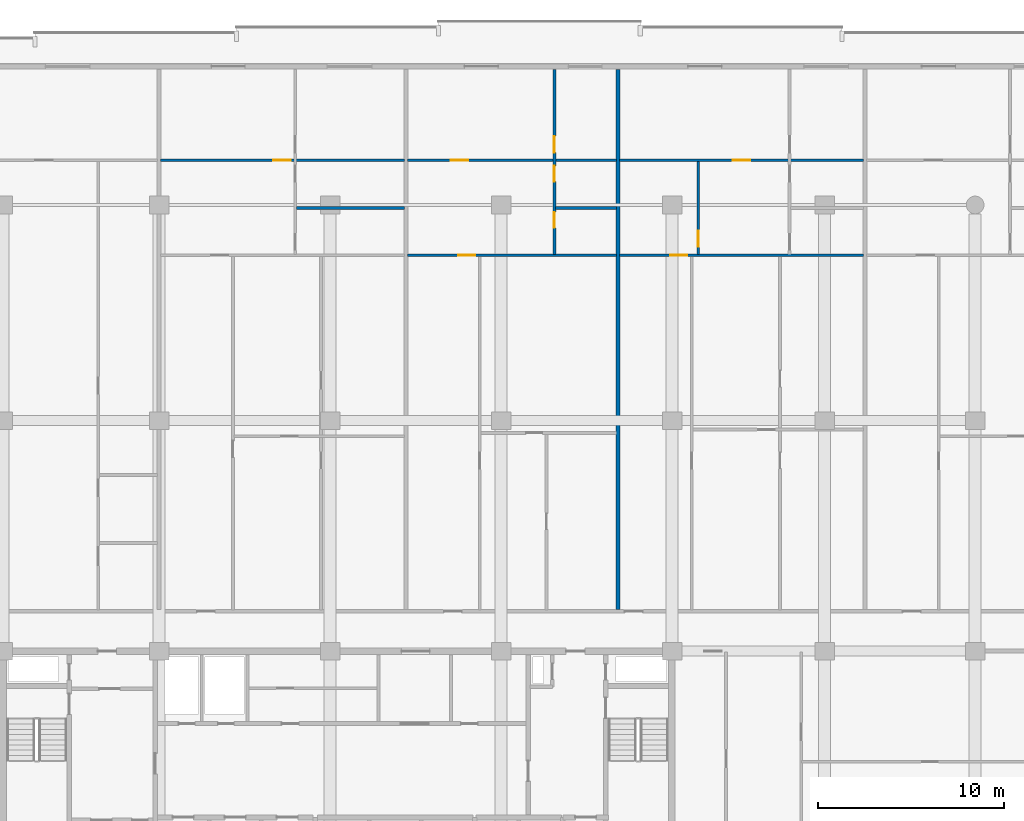
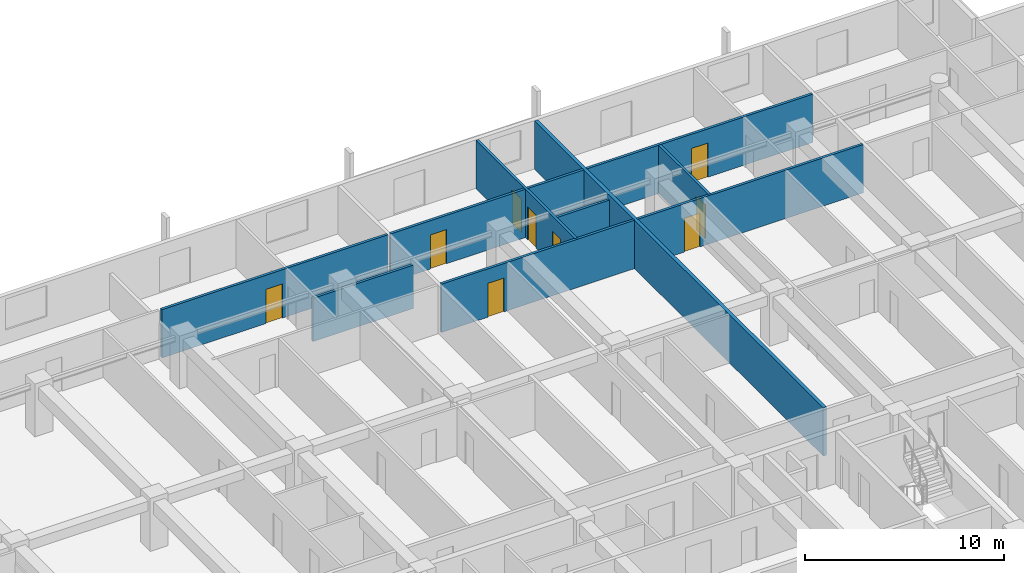
# One storey, part 15 of 23: 10 walls, 9 doors, 9 openings.
"""IFC4 building model written with IfcOpenShell, lengths in metres."""

import ifcopenshell
import ifcopenshell.guid

model = None  # the IFC model being written
_history = None  # IfcOwnerHistory: only IFC2X3 demands one
_inside = {}  # id of a spatial element -> (the spatial element, [elements in it])
_under = {}  # id of a project, library or spatial element -> (it, [spatial elements below it])
_declared = {}  # id of a project -> (the project, [libraries it declares])
_typed = {}  # id of a type object -> (the type object, [elements of that type])
_made_of = {}  # id of a material, layer set ... -> (it, [elements and type objects made of it])


def new_model(schema):
    """Start an empty IFC model of exactly this schema.

    Asked for "IFC4X3", IfcOpenShell would pick the latest addendum, in which some entities
    have other attributes; the version numbers below select the first issue.
    IFC2X3 requires an IfcOwnerHistory on every rooted entity: one is made here for all.
    """
    global model, _history
    if schema == "IFC4X3":
        model = ifcopenshell.file(schema_version=(4, 3, 0, 0))
    else:
        model = ifcopenshell.file(schema=schema)
    _inside.clear()
    _under.clear()
    _declared.clear()
    _typed.clear()
    _made_of.clear()
    _history = None
    if model.schema == "IFC2X3":
        org = make("IfcOrganization", Name="unknown")
        user = make(
            "IfcPersonAndOrganization",
            ThePerson=make("IfcPerson", FamilyName="unknown"),
            TheOrganization=org,
        )
        app = make(
            "IfcApplication",
            ApplicationDeveloper=org,
            Version="unknown",
            ApplicationFullName="unknown",
            ApplicationIdentifier="unknown",
        )
        _history = make(
            "IfcOwnerHistory",
            OwningUser=user,
            OwningApplication=app,
            ChangeAction="ADDED",
            CreationDate=0,
        )
    return model


def make(cls, **values):
    """One entity of the class cls with the attributes given. An attribute that is None is left unset."""
    return model.create_entity(
        cls, **{name: value for name, value in values.items() if value is not None}
    )


def rooted(cls, **values):
    """An entity with a GlobalId (a new one), such as an element, a storey or a relation."""
    return make(cls, GlobalId=ifcopenshell.guid.new(), OwnerHistory=_history, **values)


def si_unit(unit_type, name, prefix=None):
    """IfcSIUnit, for example si_unit("LENGTHUNIT", "METRE", prefix="MILLI")."""
    return make("IfcSIUnit", UnitType=unit_type, Prefix=prefix, Name=name)


def assignment(units):
    """IfcUnitAssignment: the units of a project."""
    return None if units is None else make("IfcUnitAssignment", Units=units)


def point(xyz):
    """IfcCartesianPoint."""
    return None if xyz is None else make("IfcCartesianPoint", Coordinates=xyz)


def direction(xyz):
    """IfcDirection."""
    return None if xyz is None else make("IfcDirection", DirectionRatios=xyz)


def frame(location, z_axis=None, x_axis=None):
    """IfcAxis2Placement3D, a coordinate frame: its origin and axes. An axis left out is left unset."""
    return make(
        "IfcAxis2Placement3D",
        Location=point(location),
        Axis=direction(z_axis),
        RefDirection=direction(x_axis),
    )


def frame_2d(location, x_axis=None):
    """IfcAxis2Placement2D, a coordinate frame in the plane: its origin and x axis."""
    return make(
        "IfcAxis2Placement2D", Location=point(location), RefDirection=direction(x_axis)
    )


def origin():
    """The frame at (0, 0, 0) with its axes left unset."""
    return frame((0.0, 0.0, 0.0))


def place(relative_to, where):
    """IfcLocalPlacement: puts the frame where relative to a parent placement (None: the world)."""
    return make(
        "IfcLocalPlacement", PlacementRelTo=relative_to, RelativePlacement=where
    )


def context(
    kind, dimensions, precision=None, world=None, true_north=None, identifier=None
):
    """IfcGeometricRepresentationContext, for example the 3D "Model" context."""
    return make(
        "IfcGeometricRepresentationContext",
        ContextIdentifier=identifier,
        ContextType=kind,
        CoordinateSpaceDimension=dimensions,
        Precision=precision,
        WorldCoordinateSystem=world,
        TrueNorth=true_north,
    )


def subcontext(parent, identifier, kind, view, scale=None):
    """IfcGeometricRepresentationSubContext, for example "Body" below "Model"."""
    return make(
        "IfcGeometricRepresentationSubContext",
        ContextIdentifier=identifier,
        ContextType=kind,
        ParentContext=parent,
        TargetScale=scale,
        TargetView=view,
    )


def project(units=None, contexts=None):
    """IfcProject with its units and contexts."""
    return rooted(
        "IfcProject",
        Name="project",
        RepresentationContexts=contexts,
        UnitsInContext=assignment(units),
    )


def spatial(cls, under=None, at=None, **own):
    """A site, building, storey or space (cls), placed at a placement, below another one or the project."""
    s = rooted(cls, ObjectPlacement=at, **own)
    if under is not None:
        _under.setdefault(under.id(), (under, []))[1].append(s)
    return s


def profile(cls, at=None, kind="AREA", **sizes):
    """A parametric profile (cls). Its sizes go by their IFC names, for example OverallWidth=200.0."""
    return make(cls, ProfileType=kind, Position=at, **sizes)


def rectangle(**sizes):
    """IfcRectangleProfileDef."""
    return profile("IfcRectangleProfileDef", **sizes)


def extrude(swept, where, along, depth):
    """IfcExtrudedAreaSolid: the profile swept, set in the frame where, extruded along a direction by depth."""
    return make(
        "IfcExtrudedAreaSolid",
        SweptArea=swept,
        Position=where,
        ExtrudedDirection=direction(along),
        Depth=depth,
    )


def shape(context_of_items, identifier, shape_type, items):
    """IfcShapeRepresentation: the items that make up one representation, for example the "Body"."""
    return make(
        "IfcShapeRepresentation",
        ContextOfItems=context_of_items,
        RepresentationIdentifier=identifier,
        RepresentationType=shape_type,
        Items=items,
    )


def material(Name=None, Category=None):
    """IfcMaterial."""
    return make("IfcMaterial", Name=Name, Category=Category)


def layer(
    of_material, thickness, ventilated=None, Name=None, Category=None, Priority=None
):
    """IfcMaterialLayer: one layer of a wall or slab, of a material (None: an air gap)."""
    return make(
        "IfcMaterialLayer",
        Material=of_material,
        LayerThickness=thickness,
        IsVentilated=ventilated,
        Name=Name,
        Category=Category,
        Priority=Priority,
    )


def layer_set(layers, Name=None):
    """IfcMaterialLayerSet."""
    return make("IfcMaterialLayerSet", MaterialLayers=layers, LayerSetName=Name)


def made_of(thing, what):
    """Note that an element or type object is made of a material, layer set ...; save() writes the relation."""
    if what is not None:
        _made_of.setdefault(what.id(), (what, []))[1].append(thing)
    return thing


def type_object(cls, material=None, **own):
    """A type object (cls), such as IfcWallType, which elements share."""
    return made_of(rooted(cls, **own), material)


def element(
    cls,
    number,
    at=None,
    inside=None,
    cuts=None,
    type_object=None,
    material=None,
    context=None,
    identifier="Body",
    shape_type=None,
    held_by="IfcProductDefinitionShape",
    body=None,
    shapes=None,
    **own,
):
    """One element of the class cls, such as IfcWall. Its Tag is "e" and its number.

    at: its placement. inside: the storey or other place that contains it. cuts: it is an
    opening in that element (IfcRelVoidsElement). A single representation is given by context,
    identifier, shape_type and body (its items); several are given by shapes. held_by: the class
    of the entity that holds the representations. save() writes the other relations.
    """
    e = rooted(cls, Tag="e%d" % number, ObjectPlacement=at, **own)
    if body is not None:
        shapes = [shape(context, identifier, shape_type, body)]
    if shapes is not None:
        e.Representation = make(held_by, Representations=shapes)
    if inside is not None:
        _inside.setdefault(inside.id(), (inside, []))[1].append(e)
    if cuts is not None:
        rooted(
            "IfcRelVoidsElement", RelatingBuildingElement=cuts, RelatedOpeningElement=e
        )
    if type_object is not None:
        _typed.setdefault(type_object.id(), (type_object, []))[1].append(e)
    return made_of(e, material)


def fill(opening, filler):
    """IfcRelFillsElement: the door or window that sits in an opening."""
    return rooted(
        "IfcRelFillsElement",
        RelatingOpeningElement=opening,
        RelatedBuildingElement=filler,
    )


def aggregate(whole, parts):
    """IfcRelAggregates: a whole, such as a stair, and the parts it consists of."""
    return rooted("IfcRelAggregates", RelatingObject=whole, RelatedObjects=parts)


def save(model, path):
    """Write the relations noted so far, then the file.

    IfcRelAggregates (storeys below a building ...), IfcRelContainedInSpatialStructure (elements
    in a storey), IfcRelDefinesByType, IfcRelAssociatesMaterial and IfcRelDeclares: one each for
    every whole, place, type object, material and project.
    """
    for whole, parts in _under.values():
        aggregate(whole, parts)
    for where, things in _inside.values():
        rooted(
            "IfcRelContainedInSpatialStructure",
            RelatedElements=things,
            RelatingStructure=where,
        )
    for kind, things in _typed.values():
        rooted("IfcRelDefinesByType", RelatedObjects=things, RelatingType=kind)
    for what, things in _made_of.values():
        rooted("IfcRelAssociatesMaterial", RelatedObjects=things, RelatingMaterial=what)
    for by, libraries in _declared.values():
        rooted("IfcRelDeclares", RelatingContext=by, RelatedDefinitions=libraries)
    model.write(path)


model = new_model("IFC4")

# Units and contexts
model_context = context("Model", 3, precision=1e-05, world=origin(), true_north=direction((0.0, 1.0)))
body_context = subcontext(model_context, "Body", "Model", "MODEL_VIEW")
ifc_project = project(units=[si_unit("LENGTHUNIT", "METRE"), si_unit("AREAUNIT", "SQUARE_METRE"), si_unit("VOLUMEUNIT", "CUBIC_METRE"), si_unit("PLANEANGLEUNIT", "RADIAN"), si_unit("MASSUNIT", "GRAM", prefix="KILO")], contexts=[model_context])

# Site, building, storey
site_placement = place(None, origin())
site = spatial("IfcSite", under=ifc_project, at=site_placement, CompositionType="ELEMENT")
building_placement = place(site_placement, origin())
building = spatial("IfcBuilding", under=site, at=building_placement, Name="Korimba Cascade Residences", CompositionType="ELEMENT")
storey_placement = place(building_placement, frame((0.0, 0.0, 33.75)))
storey = spatial("IfcBuildingStorey", under=building, at=storey_placement, Name="L08", CompositionType="ELEMENT", Elevation=33.75)

# Walls
ifc_material_1 = material(Name="Precast concrete C40/50", Category="concrete")
ifc_layer_1 = layer(ifc_material_1, 0.199951171875)
ifc_layer_set_1 = layer_set([ifc_layer_1], Name="Precast concrete C40/50")
wall_type_1 = type_object("IfcWallType", Name="WAL-IT-200", PredefinedType="PARTITIONING", material=ifc_layer_set_1)
wall_1_placement = place(storey_placement, frame((109.187255859375, 69.429931640625, 0.0), z_axis=(0.0, 0.0, 1.0), x_axis=(0.0, 1.0, 0.0)))
element("IfcWall", 1, at=wall_1_placement, inside=storey, type_object=wall_type_1, Name="L08 Partition Wall WAL-L08-T1-DEM-4", PredefinedType="PARTITIONING", context=body_context, shape_type="SweptSolid", body=[
    extrude(rectangle(XDim=29.070068359375, YDim=0.199951171875, at=frame_2d((14.53515625, 0.0))), origin(), (0.0, 0.0, 1.0), 2.969970703125),
])
ifc_material_2 = material(Name="Insulated Acoustic Stud Partition", Category="gypsum")
ifc_layer_2 = layer(ifc_material_2, 0.14990234375)
ifc_layer_set_2 = layer_set([ifc_layer_2], Name="Insulated Acoustic Stud Partition")
wall_type_2 = type_object("IfcWallType", Name="WAL-PART-150", PredefinedType="PARTITIONING", material=ifc_layer_set_2)
wall_2_placement = place(storey_placement, frame((91.8798828125, 91.0400390625, 0.0), z_axis=(0.0, 0.0, 1.0), x_axis=(1.0, 0.0, 0.0)))
element("IfcWall", 2, at=wall_2_placement, inside=storey, type_object=wall_type_2, Name="L08 Partition Wall WAL-L08-T1-U03-BLDIV", PredefinedType="PARTITIONING", context=body_context, shape_type="SweptSolid", body=[
    extrude(rectangle(XDim=5.822021484375, YDim=0.14990234375, at=frame_2d((2.9111328125, 0.0))), origin(), (0.0, 0.0, 1.0), 2.663330078125),
])

# Wall, opening, door
wall_3_placement = place(storey_placement, frame((84.579345703125, 93.60009765625, 0.0), z_axis=(0.0, 0.0, 1.0), x_axis=(1.0, 0.0, 0.0)))
wall_3 = element("IfcWall", 3, at=wall_3_placement, inside=storey, type_object=wall_type_2, Name="L08 Partition Wall WAL-L08-T1-U03-HZ", PredefinedType="PARTITIONING", context=body_context, shape_type="SweptSolid", body=[
    extrude(rectangle(XDim=13.12255859375, YDim=0.14990234375, at=frame_2d((6.561279296875, 0.0))), origin(), (0.0, 0.0, 1.0), 2.969970703125),
])
opening_1_placement = place(wall_3_placement, frame((6.050537109375, 0.0, 0.0)))
opening_1 = element("IfcOpeningElement", 4, at=opening_1_placement, cuts=wall_3, Name="Opening D-IN0", PredefinedType="OPENING", context=body_context, shape_type="SweptSolid", body=[
    extrude(rectangle(XDim=0.93994140625, YDim=2.10009765625, at=frame_2d((0.469970703125, 1.050048828125))), frame((0.0, 0.0849609375, 0.0), z_axis=(0.0, -1.0, 0.0), x_axis=(1.0, 0.0, 0.0)), (0.0, 0.0, 1.0), 0.169921875),
])
ifc_material_3 = material(Name="Acoustic Timber Living Archway Door", Category="wood")
door_type_1 = type_object("IfcDoorType", Name="DR-INT-950", OperationType="NOTDEFINED", PredefinedType="DOOR", material=ifc_material_3)
door_1_placement = place(opening_1_placement, origin())
door_1 = element("IfcDoor", 5, at=door_1_placement, inside=storey, type_object=door_type_1, Name="L08-T1-U03 Living Archway Door", OperationType="SINGLE_SWING_LEFT", OverallHeight=2.10009765625, OverallWidth=0.93994140625, PredefinedType="DOOR", context=body_context, shape_type="SweptSolid", body=[
    extrude(rectangle(XDim=0.93994140625, YDim=2.10009765625, at=frame_2d((0.469970703125, 1.050048828125))), frame((0.0, 0.02490234375, 0.0), z_axis=(0.0, -1.0, 0.0), x_axis=(1.0, 0.0, 0.0)), (0.0, 0.0, 1.0), 0.050048828125),
])
fill(opening_1, door_1)

# Wall
wall_4_placement = place(storey_placement, frame((105.8271484375, 91.0400390625, 0.0), z_axis=(0.0, 0.0, 1.0), x_axis=(1.0, 0.0, 0.0)))
element("IfcWall", 6, at=wall_4_placement, inside=storey, type_object=wall_type_2, Name="L08 Partition Wall WAL-L08-T1-U04-BLDIV", PredefinedType="PARTITIONING", context=body_context, shape_type="SweptSolid", body=[
    extrude(rectangle(XDim=3.280029296875, YDim=0.14990234375, at=frame_2d((1.64013671875, 0.0))), origin(), (0.0, 0.0, 1.0), 2.663330078125),
])

# Wall, openings, doors
wall_5_placement = place(storey_placement, frame((105.76708984375, 88.5400390625, 0.0), z_axis=(0.0, 0.0, 1.0), x_axis=(0.0, 1.0, 0.0)))
wall_5 = element("IfcWall", 7, at=wall_5_placement, inside=storey, type_object=wall_type_2, Name="L08 Partition Wall WAL-L08-T1-U04-V1", PredefinedType="PARTITIONING", context=body_context, shape_type="SweptSolid", body=[
    extrude(rectangle(XDim=9.9599609375, YDim=0.14990234375, at=frame_2d((4.97998046875, 0.0))), origin(), (0.0, 0.0, 1.0), 2.969970703125),
])
opening_2_placement = place(wall_5_placement, frame((1.430419921875, 0.0, 0.0)))
opening_2 = element("IfcOpeningElement", 8, at=opening_2_placement, cuts=wall_5, Name="Opening D-BT1", PredefinedType="OPENING", context=body_context, shape_type="SweptSolid", body=[
    extrude(rectangle(XDim=0.840087890625, YDim=2.0400390625, at=frame_2d((0.419921875, 1.02001953125))), frame((0.0, 0.0849609375, 0.0), z_axis=(0.0, -1.0, 0.0), x_axis=(1.0, 0.0, 0.0)), (0.0, 0.0, 1.0), 0.169921875),
])
opening_3_placement = place(wall_5_placement, frame((3.919921875, 0.0, 0.0)))
opening_3 = element("IfcOpeningElement", 9, at=opening_3_placement, cuts=wall_5, Name="Opening D-BT1", PredefinedType="OPENING", context=body_context, shape_type="SweptSolid", body=[
    extrude(rectangle(XDim=0.840087890625, YDim=2.0400390625, at=frame_2d((0.419921875, 1.02001953125))), frame((0.0, 0.0849609375, 0.0), z_axis=(0.0, -1.0, 0.0), x_axis=(1.0, 0.0, 0.0)), (0.0, 0.0, 1.0), 0.169921875),
])
opening_4_placement = place(wall_5_placement, frame((5.47998046875, 0.0, 0.0)))
opening_4 = element("IfcOpeningElement", 10, at=opening_4_placement, cuts=wall_5, Name="Opening D-IN2", PredefinedType="OPENING", context=body_context, shape_type="SweptSolid", body=[
    extrude(rectangle(XDim=0.8798828125, YDim=2.06005859375, at=frame_2d((0.43994140625, 1.030029296875))), frame((0.0, 0.0849609375, 0.0), z_axis=(0.0, -1.0, 0.0), x_axis=(1.0, 0.0, 0.0)), (0.0, 0.0, 1.0), 0.169921875),
])
ifc_material_4 = material(Name="Moisture-Resistant Bathroom Timber Door", Category="wood")
door_type_2 = type_object("IfcDoorType", Name="DR-INT-850", OperationType="NOTDEFINED", PredefinedType="DOOR", material=ifc_material_4)
door_2_placement = place(opening_2_placement, origin())
door_2 = element("IfcDoor", 11, at=door_2_placement, inside=storey, type_object=door_type_2, Name="L08-T1-U04 Bathroom Door", OperationType="SINGLE_SWING_LEFT", OverallHeight=2.0400390625, OverallWidth=0.840087890625, PredefinedType="DOOR", context=body_context, shape_type="SweptSolid", body=[
    extrude(rectangle(XDim=0.840087890625, YDim=2.0400390625, at=frame_2d((0.419921875, 1.02001953125))), frame((0.0, 0.02490234375, 0.0), z_axis=(0.0, -1.0, 0.0), x_axis=(1.0, 0.0, 0.0)), (0.0, 0.0, 1.0), 0.050048828125),
])
fill(opening_2, door_2)
door_3_placement = place(opening_3_placement, origin())
door_3 = element("IfcDoor", 12, at=door_3_placement, inside=storey, type_object=door_type_2, Name="L08-T1-U04 Laundry Door", OperationType="SINGLE_SWING_RIGHT", OverallHeight=2.0400390625, OverallWidth=0.840087890625, PredefinedType="DOOR", context=body_context, shape_type="SweptSolid", body=[
    extrude(rectangle(XDim=0.840087890625, YDim=2.0400390625, at=frame_2d((0.419921875, 1.02001953125))), frame((0.0, 0.02490234375, 0.0), z_axis=(0.0, -1.0, 0.0), x_axis=(1.0, 0.0, 0.0)), (0.0, 0.0, 1.0), 0.050048828125),
])
fill(opening_3, door_3)
ifc_material_5 = material(Name="Acoustic Timber Bedroom Door", Category="wood")
door_type_3 = type_object("IfcDoorType", Name="DR-INT-880", OperationType="NOTDEFINED", PredefinedType="DOOR", material=ifc_material_5)
door_4_placement = place(opening_4_placement, origin())
door_4 = element("IfcDoor", 13, at=door_4_placement, inside=storey, type_object=door_type_3, Name="L08-T1-U04 Bedroom 1 Door", OperationType="SINGLE_SWING_LEFT", OverallHeight=2.06005859375, OverallWidth=0.8798828125, PredefinedType="DOOR", context=body_context, shape_type="SweptSolid", body=[
    extrude(rectangle(XDim=0.8798828125, YDim=2.06005859375, at=frame_2d((0.43994140625, 1.030029296875))), frame((0.0, 0.02490234375, 0.0), z_axis=(0.0, -1.0, 0.0), x_axis=(1.0, 0.0, 0.0)), (0.0, 0.0, 1.0), 0.050048828125),
])
fill(opening_4, door_4)

# Wall, opening, door
wall_6_placement = place(storey_placement, frame((97.862060546875, 88.5, 0.0), z_axis=(0.0, 0.0, 1.0), x_axis=(1.0, 0.0, 0.0)))
wall_6 = element("IfcWall", 14, at=wall_6_placement, inside=storey, type_object=wall_type_2, Name="L08 Partition Wall WAL-L08-T1-U04-MW", PredefinedType="PARTITIONING", context=body_context, shape_type="SweptSolid", body=[
    extrude(rectangle(XDim=11.2451171875, YDim=0.14990234375, at=frame_2d((5.62255859375, 0.0))), origin(), (0.0, 0.0, 1.0), 2.969970703125),
])
opening_5_placement = place(wall_6_placement, frame((2.719970703125, 0.0, 0.0)))
opening_5 = element("IfcOpeningElement", 15, at=opening_5_placement, cuts=wall_6, Name="Opening D-IN1", PredefinedType="OPENING", context=body_context, shape_type="SweptSolid", body=[
    extrude(rectangle(XDim=0.919921875, YDim=2.080078125, at=frame_2d((0.4599609375, 1.0400390625))), frame((0.0, 0.0849609375, 0.0), z_axis=(0.0, -1.0, 0.0), x_axis=(1.0, 0.0, 0.0)), (0.0, 0.0, 1.0), 0.169921875),
])
ifc_material_6 = material(Name="Acoustic Timber Living Door", Category="wood")
door_type_4 = type_object("IfcDoorType", Name="DR-INT-920", OperationType="NOTDEFINED", PredefinedType="DOOR", material=ifc_material_6)
door_5_placement = place(opening_5_placement, origin())
door_5 = element("IfcDoor", 16, at=door_5_placement, inside=storey, type_object=door_type_4, Name="L08-T1-U04 Kitchen Archway Door", OperationType="SINGLE_SWING_RIGHT", OverallHeight=2.080078125, OverallWidth=0.919921875, PredefinedType="DOOR", context=body_context, shape_type="SweptSolid", body=[
    extrude(rectangle(XDim=0.919921875, YDim=2.080078125, at=frame_2d((0.4599609375, 1.0400390625))), frame((0.0, 0.02490234375, 0.0), z_axis=(0.0, -1.0, 0.0), x_axis=(1.0, 0.0, 0.0)), (0.0, 0.0, 1.0), 0.050048828125),
])
fill(opening_5, door_5)

wall_7_placement = place(storey_placement, frame((97.862060546875, 93.60009765625, 0.0), z_axis=(0.0, 0.0, 1.0), x_axis=(1.0, 0.0, 0.0)))
wall_7 = element("IfcWall", 17, at=wall_7_placement, inside=storey, type_object=wall_type_2, Name="L08 Partition Wall WAL-L08-T1-U04-HZ", PredefinedType="PARTITIONING", context=body_context, shape_type="SweptSolid", body=[
    extrude(rectangle(XDim=11.2451171875, YDim=0.14990234375, at=frame_2d((5.62255859375, 0.0))), origin(), (0.0, 0.0, 1.0), 2.969970703125),
])
opening_6_placement = place(wall_7_placement, frame((2.31884765625, 0.0, 0.0)))
opening_6 = element("IfcOpeningElement", 18, at=opening_6_placement, cuts=wall_7, Name="Opening D-IN0", PredefinedType="OPENING", context=body_context, shape_type="SweptSolid", body=[
    extrude(rectangle(XDim=0.93994140625, YDim=2.10009765625, at=frame_2d((0.469970703125, 1.050048828125))), frame((0.0, 0.0849609375, 0.0), z_axis=(0.0, -1.0, 0.0), x_axis=(1.0, 0.0, 0.0)), (0.0, 0.0, 1.0), 0.169921875),
])
door_6_placement = place(opening_6_placement, origin())
door_6 = element("IfcDoor", 19, at=door_6_placement, inside=storey, type_object=door_type_1, Name="L08-T1-U04 Living Archway Door", OperationType="SINGLE_SWING_LEFT", OverallHeight=2.10009765625, OverallWidth=0.93994140625, PredefinedType="DOOR", context=body_context, shape_type="SweptSolid", body=[
    extrude(rectangle(XDim=0.93994140625, YDim=2.10009765625, at=frame_2d((0.469970703125, 1.050048828125))), frame((0.0, 0.02490234375, 0.0), z_axis=(0.0, -1.0, 0.0), x_axis=(1.0, 0.0, 0.0)), (0.0, 0.0, 1.0), 0.050048828125),
])
fill(opening_6, door_6)

wall_8_placement = place(storey_placement, frame((113.507080078125, 88.5400390625, 0.0), z_axis=(0.0, 0.0, 1.0), x_axis=(0.0, 1.0, 0.0)))
wall_8 = element("IfcWall", 20, at=wall_8_placement, inside=storey, type_object=wall_type_2, Name="L08 Partition Wall WAL-L08-T1-U05-VDIN", PredefinedType="PARTITIONING", context=body_context, shape_type="SweptSolid", body=[
    extrude(rectangle(XDim=5.0, YDim=0.14990234375, at=frame_2d((2.5, 0.0))), origin(), (0.0, 0.0, 1.0), 2.969970703125),
])
opening_7_placement = place(wall_8_placement, frame((0.39990234375, 0.0, 0.0)))
opening_7 = element("IfcOpeningElement", 21, at=opening_7_placement, cuts=wall_8, Name="Opening D-IN2", PredefinedType="OPENING", context=body_context, shape_type="SweptSolid", body=[
    extrude(rectangle(XDim=0.8798828125, YDim=2.06005859375, at=frame_2d((0.43994140625, 1.030029296875))), frame((0.0, 0.0849609375, 0.0), z_axis=(0.0, -1.0, 0.0), x_axis=(1.0, 0.0, 0.0)), (0.0, 0.0, 1.0), 0.169921875),
])
door_7_placement = place(opening_7_placement, origin())
door_7 = element("IfcDoor", 22, at=door_7_placement, inside=storey, type_object=door_type_3, Name="L08-T1-U05 Dining Room Door", OperationType="SINGLE_SWING_RIGHT", OverallHeight=2.06005859375, OverallWidth=0.8798828125, PredefinedType="DOOR", context=body_context, shape_type="SweptSolid", body=[
    extrude(rectangle(XDim=0.8798828125, YDim=2.06005859375, at=frame_2d((0.43994140625, 1.030029296875))), frame((0.0, 0.02490234375, 0.0), z_axis=(0.0, -1.0, 0.0), x_axis=(1.0, 0.0, 0.0)), (0.0, 0.0, 1.0), 0.050048828125),
])
fill(opening_7, door_7)

wall_9_placement = place(storey_placement, frame((109.26708984375, 88.5, 0.0), z_axis=(0.0, 0.0, 1.0), x_axis=(1.0, 0.0, 0.0)))
wall_9 = element("IfcWall", 23, at=wall_9_placement, inside=storey, type_object=wall_type_2, Name="L08 Partition Wall WAL-L08-T1-U05-MW", PredefinedType="PARTITIONING", context=body_context, shape_type="SweptSolid", body=[
    extrude(rectangle(XDim=13.122802734375, YDim=0.14990234375, at=frame_2d((6.5615234375, 0.0))), origin(), (0.0, 0.0, 1.0), 2.969970703125),
])
opening_8_placement = place(wall_9_placement, frame((2.719970703125, 0.0, 0.0)))
opening_8 = element("IfcOpeningElement", 24, at=opening_8_placement, cuts=wall_9, Name="Opening D-IN1", PredefinedType="OPENING", context=body_context, shape_type="SweptSolid", body=[
    extrude(rectangle(XDim=0.919921875, YDim=2.080078125, at=frame_2d((0.4599609375, 1.0400390625))), frame((0.0, 0.0849609375, 0.0), z_axis=(0.0, -1.0, 0.0), x_axis=(1.0, 0.0, 0.0)), (0.0, 0.0, 1.0), 0.169921875),
])
door_8_placement = place(opening_8_placement, origin())
door_8 = element("IfcDoor", 25, at=door_8_placement, inside=storey, type_object=door_type_4, Name="L08-T1-U05 Kitchen Archway Door", OperationType="SINGLE_SWING_RIGHT", OverallHeight=2.080078125, OverallWidth=0.919921875, PredefinedType="DOOR", context=body_context, shape_type="SweptSolid", body=[
    extrude(rectangle(XDim=0.919921875, YDim=2.080078125, at=frame_2d((0.4599609375, 1.0400390625))), frame((0.0, 0.02490234375, 0.0), z_axis=(0.0, -1.0, 0.0), x_axis=(1.0, 0.0, 0.0)), (0.0, 0.0, 1.0), 0.050048828125),
])
fill(opening_8, door_8)

wall_10_placement = place(storey_placement, frame((109.26708984375, 93.60009765625, 0.0), z_axis=(0.0, 0.0, 1.0), x_axis=(1.0, 0.0, 0.0)))
wall_10 = element("IfcWall", 26, at=wall_10_placement, inside=storey, type_object=wall_type_2, Name="L08 Partition Wall WAL-L08-T1-U05-HZ", PredefinedType="PARTITIONING", context=body_context, shape_type="SweptSolid", body=[
    extrude(rectangle(XDim=13.122802734375, YDim=0.14990234375, at=frame_2d((6.5615234375, 0.0))), origin(), (0.0, 0.0, 1.0), 2.969970703125),
])
opening_9_placement = place(wall_10_placement, frame((6.09130859375, 0.0, 0.0)))
opening_9 = element("IfcOpeningElement", 27, at=opening_9_placement, cuts=wall_10, Name="Opening D-IN0", PredefinedType="OPENING", context=body_context, shape_type="SweptSolid", body=[
    extrude(rectangle(XDim=0.93994140625, YDim=2.10009765625, at=frame_2d((0.469970703125, 1.050048828125))), frame((0.0, 0.0849609375, 0.0), z_axis=(0.0, -1.0, 0.0), x_axis=(1.0, 0.0, 0.0)), (0.0, 0.0, 1.0), 0.169921875),
])
door_9_placement = place(opening_9_placement, origin())
door_9 = element("IfcDoor", 28, at=door_9_placement, inside=storey, type_object=door_type_1, Name="L08-T1-U05 Living Archway Door", OperationType="SINGLE_SWING_LEFT", OverallHeight=2.10009765625, OverallWidth=0.93994140625, PredefinedType="DOOR", context=body_context, shape_type="SweptSolid", body=[
    extrude(rectangle(XDim=0.93994140625, YDim=2.10009765625, at=frame_2d((0.469970703125, 1.050048828125))), frame((0.0, 0.02490234375, 0.0), z_axis=(0.0, -1.0, 0.0), x_axis=(1.0, 0.0, 0.0)), (0.0, 0.0, 1.0), 0.050048828125),
])
fill(opening_9, door_9)

save(model, "model.ifc")
